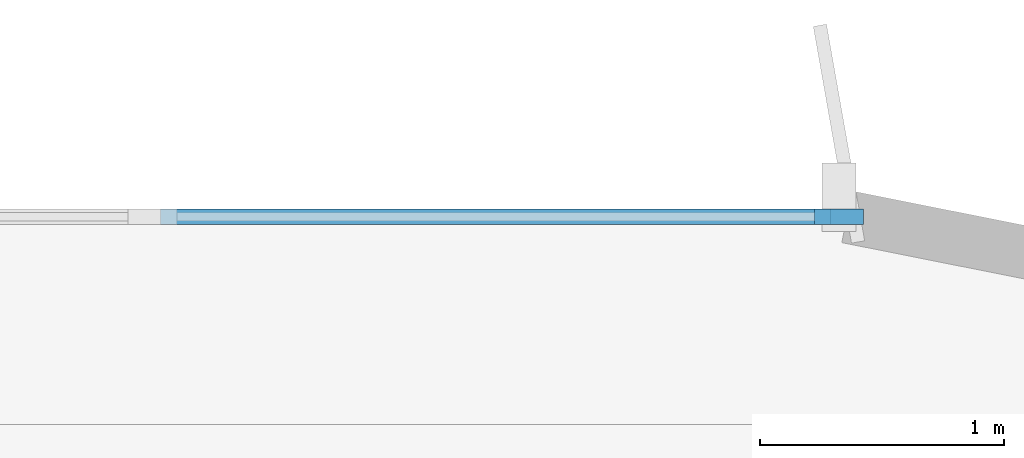
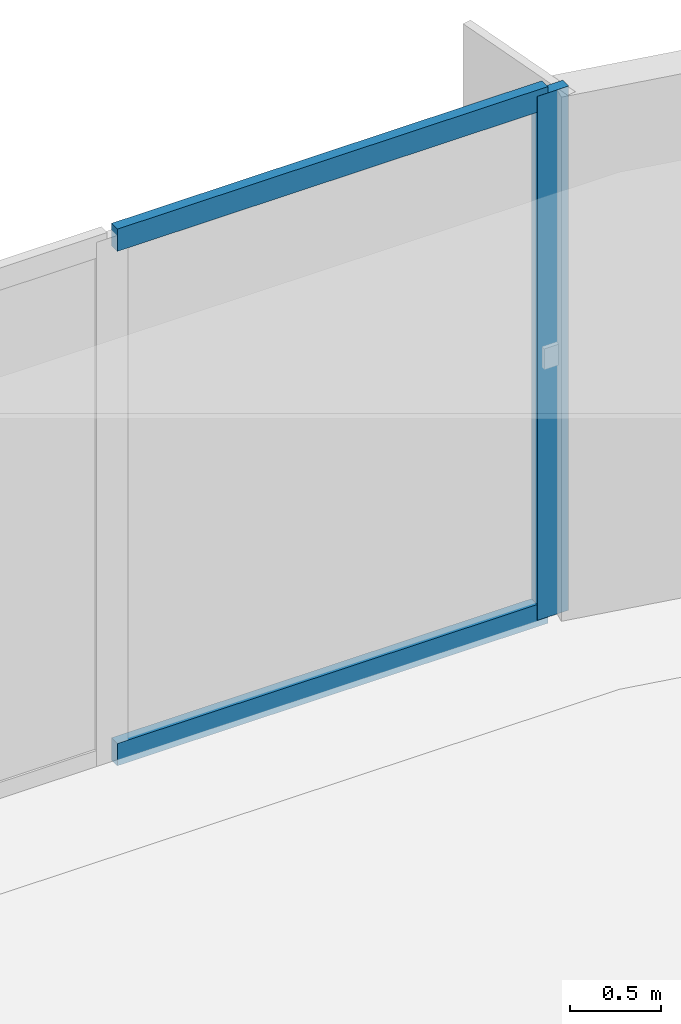
# One storey, part 8 of 17: 3 members, 1 element without a shape of its own.
"""IFC4 building model written with IfcOpenShell, lengths in metres."""

from ifc_helpers import new_model, si_unit, direction, frame, origin, origin_2d, place, context, subcontext, project, spatial, rectangle, extrude, source, transform, mapped, material, layer, layer_set, material_profile, profile_set, type_object, element, aggregate, save


model = new_model("IFC4")

# Units and contexts
model_context = context("Model", 3, precision=1e-05, world=origin(), true_north=direction((0.0, 1.0)))
body_context = subcontext(model_context, "Body", "Model", "MODEL_VIEW")
ifc_project = project(units=[si_unit("LENGTHUNIT", "METRE"), si_unit("AREAUNIT", "SQUARE_METRE"), si_unit("VOLUMEUNIT", "CUBIC_METRE"), si_unit("PLANEANGLEUNIT", "RADIAN"), si_unit("MASSUNIT", "GRAM", prefix="KILO")], contexts=[model_context])

# Site, building, storey
site_placement = place(None, origin())
site = spatial("IfcSite", under=ifc_project, at=site_placement, CompositionType="ELEMENT")
building_placement = place(site_placement, origin())
building = spatial("IfcBuilding", under=site, at=building_placement, Name="Brelvock Crest Care Tower", CompositionType="ELEMENT")
storey_placement = place(building_placement, frame((0.0, 0.0, 45.89990234375)))
storey = spatial("IfcBuildingStorey", under=building, at=storey_placement, Name="L11", CompositionType="ELEMENT", Elevation=45.89990234375)

# Curtain wall, members
ifc_material_1 = material(Name="Dark Glass Double Glazed Low-E", Category="glass")
ifc_layer = layer(ifc_material_1, 0.195068359375, Name="CWS-2")
ifc_layer_set = layer_set([ifc_layer], Name="Dark Glass Double Glazed Low-E")
curtain_wall_type = type_object("IfcCurtainWallType", Name="CWS-2", PredefinedType="NOTDEFINED", material=ifc_layer_set)
curtain_wall_placement = place(storey_placement, origin())
curtain_wall = element("IfcCurtainWall", 1, at=curtain_wall_placement, inside=storey, type_object=curtain_wall_type, Name="L11 Curtain Wall E30", PredefinedType="NOTDEFINED")
ifc_material_2 = material(Name="Aluminium 6063-T6", Category="aluminium")
ifc_material_profile_1 = material_profile(ifc_material_2, rectangle(XDim=0.06494140625, YDim=0.199951171875, at=origin_2d()), Name="ALU65x200")
ifc_profile_set_1 = profile_set([ifc_material_profile_1], Name="Aluminium 6063-T6")
member_type_1 = type_object("IfcMemberType", Name="CWM-1", PredefinedType="MULLION", material=ifc_profile_set_1)
shared_shape_1 = source(origin(), body_context, "Body", "SweptSolid", [
    extrude(rectangle(XDim=0.06494140625, YDim=0.199951171875, at=origin_2d()), origin(), (0.0, 0.0, 1.0), 3.530029296875),
])
member_1_placement = place(storey_placement, frame((56.767578125, 36.0, 0.0), z_axis=(0.0, 0.0, 1.0), x_axis=(0.0, 1.0, 0.0)))
member_1 = element("IfcMember", 2, at=member_1_placement, type_object=member_type_1, Name="CW-2 mullion 6", PredefinedType="MULLION", context=body_context, shape_type="MappedRepresentation", body=[
    mapped(shared_shape_1, transform((0.0, 0.0, 0.0), x_axis=(1.0, 0.0, 0.0), y_axis=(0.0, 1.0, 0.0), z_axis=(0.0, 0.0, 1.0), scale=1.0)),
])
ifc_material_profile_2 = material_profile(ifc_material_2, rectangle(XDim=0.06494140625, YDim=0.14990234375, at=origin_2d()), Name="ALU65x150")
ifc_profile_set_2 = profile_set([ifc_material_profile_2], Name="Aluminium 6063-T6")
member_type_2 = type_object("IfcMemberType", Name="CWT-1", PredefinedType="USERDEFINED", material=ifc_profile_set_2)
shared_shape_2 = source(origin(), body_context, "Body", "SweptSolid", [
    extrude(rectangle(XDim=0.06494140625, YDim=0.14990234375, at=origin_2d()), origin(), (0.0, 0.0, 1.0), 2.74267578125),
])
member_2_placement = place(storey_placement, frame((53.992431640625, 36.0, 0.03271484375), z_axis=(1.0, 0.0, 0.0), x_axis=(0.0, 1.0, 0.0)))
member_2 = element("IfcMember", 3, at=member_2_placement, type_object=member_type_2, Name="CW-2 transom 5.1", ObjectType="TRANSOM", PredefinedType="USERDEFINED", context=body_context, shape_type="MappedRepresentation", body=[
    mapped(shared_shape_2, transform((0.0, 0.0, 0.0), x_axis=(1.0, 0.0, 0.0), y_axis=(0.0, 1.0, 0.0), z_axis=(0.0, 0.0, 1.0), scale=1.0)),
])
member_3_placement = place(storey_placement, frame((53.992431640625, 36.0, 3.49755859375), z_axis=(1.0, 0.0, 0.0), x_axis=(0.0, 1.0, 0.0)))
member_3 = element("IfcMember", 4, at=member_3_placement, type_object=member_type_2, Name="CW-2 transom 5.2", ObjectType="TRANSOM", PredefinedType="USERDEFINED", context=body_context, shape_type="MappedRepresentation", body=[
    mapped(shared_shape_2, transform((0.0, 0.0, 0.0), x_axis=(1.0, 0.0, 0.0), y_axis=(0.0, 1.0, 0.0), z_axis=(0.0, 0.0, 1.0), scale=1.0)),
])
aggregate(curtain_wall, [member_1, member_2, member_3])

save(model, "model.ifc")
